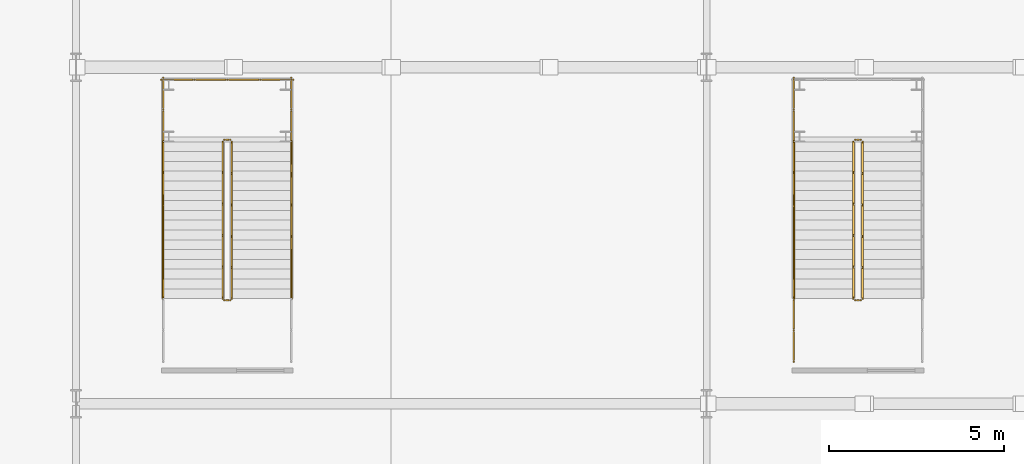
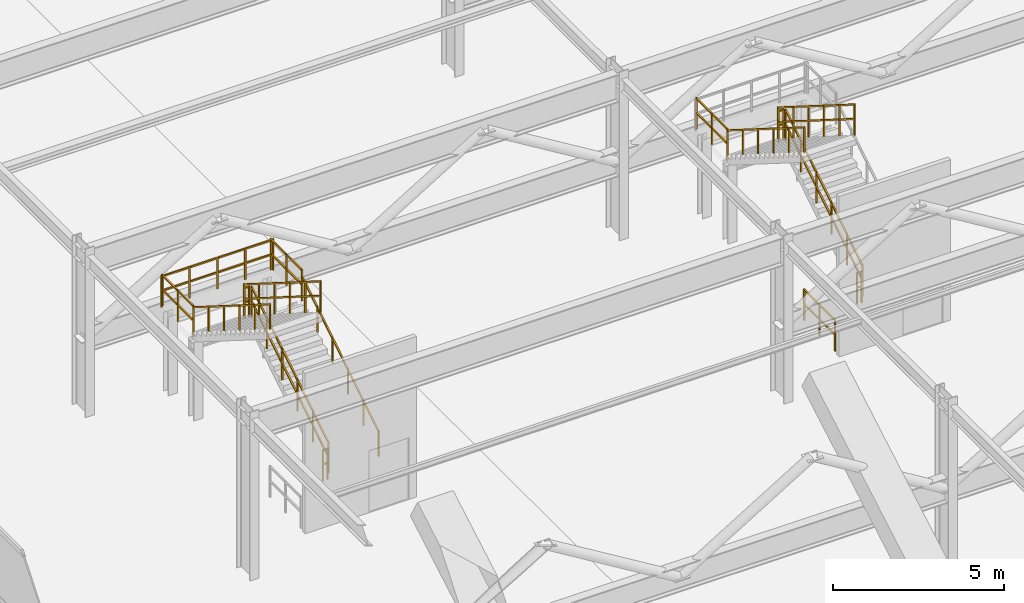
# One storey, part 87 of 113: 16 railings.
"""IFC4 building model written with IfcOpenShell, lengths in metres."""

from ifc_helpers import new_model, si_unit, direction, frame, origin, origin_2d, place, context, subcontext, project, spatial, rectangle, extrude, material, type_object, element, save


model = new_model("IFC4")

# Units and contexts
model_context = context("Model", 3, precision=1e-05, world=origin(), true_north=direction((0.0, 1.0)))
body_context = subcontext(model_context, "Body", "Model", "MODEL_VIEW")
ifc_project = project(units=[si_unit("LENGTHUNIT", "METRE"), si_unit("AREAUNIT", "SQUARE_METRE"), si_unit("VOLUMEUNIT", "CUBIC_METRE"), si_unit("PLANEANGLEUNIT", "RADIAN"), si_unit("MASSUNIT", "GRAM", prefix="KILO")], contexts=[model_context])

# Site, building, storey
site_placement = place(None, origin())
site = spatial("IfcSite", under=ifc_project, at=site_placement, CompositionType="ELEMENT")
building_placement = place(site_placement, origin())
building = spatial("IfcBuilding", under=site, at=building_placement, Name="Myrtia Square Station", CompositionType="ELEMENT")
storey_placement = place(building_placement, origin())
storey = spatial("IfcBuildingStorey", under=building, at=storey_placement, Name="L00", CompositionType="ELEMENT", Elevation=0.0)

# Railings
ifc_material_1 = material(Name="Dark bronze anodised aluminium", Category="aluminium")
railing_type_1 = type_object("IfcRailingType", Name="RL-HANDRAIL-900", PredefinedType="HANDRAIL", material=ifc_material_1)
railing_1_placement = place(storey_placement, frame((15.14990234375, 70.199951171875, 0.176513671875)))
element("IfcRailing", 1, at=railing_1_placement, inside=storey, type_object=railing_type_1, Name="L00 ST65 stair handrail 1", PredefinedType="HANDRAIL", context=body_context, shape_type="SweptSolid", body=[
    extrude(rectangle(XDim=0.048095703125, YDim=0.048095703125, at=origin_2d()), frame((0.0, 0.029296875, 0.894287109375), z_axis=(0.0, 0.845997938375, 0.533186166611), x_axis=(-1.0, 0.0, 0.0)), (0.0, 0.0, 1.0), 0.98974609375),
    extrude(rectangle(XDim=0.048095703125, YDim=0.048095703125, at=origin_2d()), frame((0.0, 0.92529296875, 1.458984375), z_axis=(0.0, 0.845997938375, 0.533186166611), x_axis=(-1.0, 0.0, 0.0)), (0.0, 0.0, 1.0), 0.98974609375),
    extrude(rectangle(XDim=0.048095703125, YDim=0.048095703125, at=origin_2d()), frame((0.0, 1.8212890625, 2.023681640625), z_axis=(0.0, 0.845997938375, 0.533186166611), x_axis=(-1.0, 0.0, 0.0)), (0.0, 0.0, 1.0), 0.98974609375),
    extrude(rectangle(XDim=0.048095703125, YDim=0.048095703125, at=origin_2d()), frame((0.0, 2.71728515625, 2.58837890625), z_axis=(0.0, 0.845997938375, 0.533186166611), x_axis=(-1.0, 0.0, 0.0)), (0.0, 0.0, 1.0), 0.98974609375),
    extrude(rectangle(XDim=0.048095703125, YDim=0.048095703125, at=origin_2d()), frame((0.0, 3.61328125, 3.153076171875), z_axis=(0.0, 0.845997938375, 0.533186166611), x_axis=(-1.0, 0.0, 0.0)), (0.0, 0.0, 1.0), 0.98974609375),
    extrude(rectangle(XDim=0.0439453125, YDim=0.0439453125, at=origin_2d()), origin(), (0.0, 0.0, 1.0), 0.89990234375),
    extrude(rectangle(XDim=0.0439453125, YDim=0.0439453125, at=origin_2d()), frame((0.0, 0.89599609375, 0.564697265625)), (0.0, 0.0, 1.0), 0.89990234375),
    extrude(rectangle(XDim=0.0439453125, YDim=0.0439453125, at=origin_2d()), frame((0.0, 1.7919921875, 1.12939453125)), (0.0, 0.0, 1.0), 0.89990234375),
    extrude(rectangle(XDim=0.0439453125, YDim=0.0439453125, at=origin_2d()), frame((0.0, 2.68798828125, 1.694091796875)), (0.0, 0.0, 1.0), 0.89990234375),
    extrude(rectangle(XDim=0.0439453125, YDim=0.0439453125, at=origin_2d()), frame((0.0, 3.583984375, 2.2587890625)), (0.0, 0.0, 1.0), 0.89990234375),
    extrude(rectangle(XDim=0.0439453125, YDim=0.0439453125, at=origin_2d()), frame((0.0, 4.47998046875, 2.823486328125)), (0.0, 0.0, 1.0), 0.89990234375),
])
railing_2_placement = place(storey_placement, frame((11.489990234375, 74.679931640625, 3.176513671875)))
element("IfcRailing", 2, at=railing_2_placement, inside=storey, type_object=railing_type_1, Name="L00 ST65 stair handrail 2", PredefinedType="HANDRAIL", context=body_context, shape_type="SweptSolid", body=[
    extrude(rectangle(XDim=0.048095703125, YDim=0.048095703125, at=origin_2d()), frame((0.0, -0.029296875, 0.894287109375), z_axis=(0.0, -0.845997938375, 0.533186166611), x_axis=(1.0, 0.0, 0.0)), (0.0, 0.0, 1.0), 0.98974609375),
    extrude(rectangle(XDim=0.048095703125, YDim=0.048095703125, at=origin_2d()), frame((0.0, -0.92529296875, 1.458984375), z_axis=(0.0, -0.845997938375, 0.533186166611), x_axis=(1.0, 0.0, 0.0)), (0.0, 0.0, 1.0), 0.98974609375),
    extrude(rectangle(XDim=0.048095703125, YDim=0.048095703125, at=origin_2d()), frame((0.0, -1.8212890625, 2.023681640625), z_axis=(0.0, -0.845997938375, 0.533186166611), x_axis=(1.0, 0.0, 0.0)), (0.0, 0.0, 1.0), 0.98974609375),
    extrude(rectangle(XDim=0.048095703125, YDim=0.048095703125, at=origin_2d()), frame((0.0, -2.71728515625, 2.58837890625), z_axis=(0.0, -0.845997938375, 0.533186166611), x_axis=(1.0, 0.0, 0.0)), (0.0, 0.0, 1.0), 0.98974609375),
    extrude(rectangle(XDim=0.048095703125, YDim=0.048095703125, at=origin_2d()), frame((0.0, -3.61328125, 3.153076171875), z_axis=(0.0, -0.845997938375, 0.533186166611), x_axis=(1.0, 0.0, 0.0)), (0.0, 0.0, 1.0), 0.98974609375),
    extrude(rectangle(XDim=0.0439453125, YDim=0.0439453125, at=origin_2d()), origin(), (0.0, 0.0, 1.0), 0.89990234375),
    extrude(rectangle(XDim=0.0439453125, YDim=0.0439453125, at=origin_2d()), frame((0.0, -0.89599609375, 0.564697265625)), (0.0, 0.0, 1.0), 0.89990234375),
    extrude(rectangle(XDim=0.0439453125, YDim=0.0439453125, at=origin_2d()), frame((0.0, -1.7919921875, 1.12939453125)), (0.0, 0.0, 1.0), 0.89990234375),
    extrude(rectangle(XDim=0.0439453125, YDim=0.0439453125, at=origin_2d()), frame((0.0, -2.68798828125, 1.694091796875)), (0.0, 0.0, 1.0), 0.89990234375),
    extrude(rectangle(XDim=0.0439453125, YDim=0.0439453125, at=origin_2d()), frame((0.0, -3.583984375, 2.2587890625)), (0.0, 0.0, 1.0), 0.89990234375),
    extrude(rectangle(XDim=0.0439453125, YDim=0.0439453125, at=origin_2d()), frame((0.0, -4.47998046875, 2.823486328125)), (0.0, 0.0, 1.0), 0.89990234375),
])
railing_3_placement = place(storey_placement, frame((29.489990234375, 74.679931640625, 3.176513671875)))
element("IfcRailing", 3, at=railing_3_placement, inside=storey, type_object=railing_type_1, Name="L00 ST66 stair handrail 2", PredefinedType="HANDRAIL", context=body_context, shape_type="SweptSolid", body=[
    extrude(rectangle(XDim=0.048095703125, YDim=0.048095703125, at=origin_2d()), frame((0.0, -0.029296875, 0.894287109375), z_axis=(0.0, -0.845997938375, 0.533186166611), x_axis=(1.0, 0.0, 0.0)), (0.0, 0.0, 1.0), 0.98974609375),
    extrude(rectangle(XDim=0.048095703125, YDim=0.048095703125, at=origin_2d()), frame((0.0, -0.92529296875, 1.458984375), z_axis=(0.0, -0.845997938375, 0.533186166611), x_axis=(1.0, 0.0, 0.0)), (0.0, 0.0, 1.0), 0.98974609375),
    extrude(rectangle(XDim=0.048095703125, YDim=0.048095703125, at=origin_2d()), frame((0.0, -1.8212890625, 2.023681640625), z_axis=(0.0, -0.845997938375, 0.533186166611), x_axis=(1.0, 0.0, 0.0)), (0.0, 0.0, 1.0), 0.98974609375),
    extrude(rectangle(XDim=0.048095703125, YDim=0.048095703125, at=origin_2d()), frame((0.0, -2.71728515625, 2.58837890625), z_axis=(0.0, -0.845997938375, 0.533186166611), x_axis=(1.0, 0.0, 0.0)), (0.0, 0.0, 1.0), 0.98974609375),
    extrude(rectangle(XDim=0.048095703125, YDim=0.048095703125, at=origin_2d()), frame((0.0, -3.61328125, 3.153076171875), z_axis=(0.0, -0.845997938375, 0.533186166611), x_axis=(1.0, 0.0, 0.0)), (0.0, 0.0, 1.0), 0.98974609375),
    extrude(rectangle(XDim=0.0439453125, YDim=0.0439453125, at=origin_2d()), origin(), (0.0, 0.0, 1.0), 0.89990234375),
    extrude(rectangle(XDim=0.0439453125, YDim=0.0439453125, at=origin_2d()), frame((0.0, -0.89599609375, 0.564697265625)), (0.0, 0.0, 1.0), 0.89990234375),
    extrude(rectangle(XDim=0.0439453125, YDim=0.0439453125, at=origin_2d()), frame((0.0, -1.7919921875, 1.12939453125)), (0.0, 0.0, 1.0), 0.89990234375),
    extrude(rectangle(XDim=0.0439453125, YDim=0.0439453125, at=origin_2d()), frame((0.0, -2.68798828125, 1.694091796875)), (0.0, 0.0, 1.0), 0.89990234375),
    extrude(rectangle(XDim=0.0439453125, YDim=0.0439453125, at=origin_2d()), frame((0.0, -3.583984375, 2.2587890625)), (0.0, 0.0, 1.0), 0.89990234375),
    extrude(rectangle(XDim=0.0439453125, YDim=0.0439453125, at=origin_2d()), frame((0.0, -4.47998046875, 2.823486328125)), (0.0, 0.0, 1.0), 0.89990234375),
])
ifc_material_2 = material(Name="Wrought iron", Category="steel")
railing_type_2 = type_object("IfcRailingType", Name="RL-INT-GUARD-1100", PredefinedType="BALUSTRADE", material=ifc_material_2)
railing_4_placement = place(storey_placement, frame((13.449951171875, 70.199951171875, 0.176513671875)))
element("IfcRailing", 4, at=railing_4_placement, inside=storey, type_object=railing_type_2, Name="L00 ST65 stair guard 1", PredefinedType="BALUSTRADE", context=body_context, shape_type="SweptSolid", body=[
    extrude(rectangle(XDim=0.048095703125, YDim=0.048095703125, at=origin_2d()), frame((0.0, 0.029296875, 1.114501953125), z_axis=(0.0, 0.845997938375, 0.533186166611), x_axis=(-1.0, 0.0, 0.0)), (0.0, 0.0, 1.0), 0.98974609375),
    extrude(rectangle(XDim=0.048095703125, YDim=0.048095703125, at=origin_2d()), frame((0.0, 0.029296875, 0.600830078125), z_axis=(0.0, 0.845997938375, 0.533186166611), x_axis=(-1.0, 0.0, 0.0)), (0.0, 0.0, 1.0), 0.98974609375),
    extrude(rectangle(XDim=0.048095703125, YDim=0.048095703125, at=origin_2d()), frame((0.0, 0.92529296875, 1.67919921875), z_axis=(0.0, 0.845997938375, 0.533186166611), x_axis=(-1.0, 0.0, 0.0)), (0.0, 0.0, 1.0), 0.98974609375),
    extrude(rectangle(XDim=0.048095703125, YDim=0.048095703125, at=origin_2d()), frame((0.0, 0.92529296875, 1.16552734375), z_axis=(0.0, 0.845997938375, 0.533186166611), x_axis=(-1.0, 0.0, 0.0)), (0.0, 0.0, 1.0), 0.98974609375),
    extrude(rectangle(XDim=0.048095703125, YDim=0.048095703125, at=origin_2d()), frame((0.0, 1.8212890625, 2.243896484375), z_axis=(0.0, 0.845997938375, 0.533186166611), x_axis=(-1.0, 0.0, 0.0)), (0.0, 0.0, 1.0), 0.98974609375),
    extrude(rectangle(XDim=0.048095703125, YDim=0.048095703125, at=origin_2d()), frame((0.0, 1.8212890625, 1.730224609375), z_axis=(0.0, 0.845997938375, 0.533186166611), x_axis=(-1.0, 0.0, 0.0)), (0.0, 0.0, 1.0), 0.98974609375),
    extrude(rectangle(XDim=0.048095703125, YDim=0.048095703125, at=origin_2d()), frame((0.0, 2.71728515625, 2.80859375), z_axis=(0.0, 0.845997938375, 0.533186166611), x_axis=(-1.0, 0.0, 0.0)), (0.0, 0.0, 1.0), 0.98974609375),
    extrude(rectangle(XDim=0.048095703125, YDim=0.048095703125, at=origin_2d()), frame((0.0, 2.71728515625, 2.294921875), z_axis=(0.0, 0.845997938375, 0.533186166611), x_axis=(-1.0, 0.0, 0.0)), (0.0, 0.0, 1.0), 0.98974609375),
    extrude(rectangle(XDim=0.048095703125, YDim=0.048095703125, at=origin_2d()), frame((0.0, 3.61328125, 3.373291015625), z_axis=(0.0, 0.845997938375, 0.533186166611), x_axis=(-1.0, 0.0, 0.0)), (0.0, 0.0, 1.0), 0.98974609375),
    extrude(rectangle(XDim=0.048095703125, YDim=0.048095703125, at=origin_2d()), frame((0.0, 3.61328125, 2.859619140625), z_axis=(0.0, 0.845997938375, 0.533186166611), x_axis=(-1.0, 0.0, 0.0)), (0.0, 0.0, 1.0), 0.98974609375),
    extrude(rectangle(XDim=0.0439453125, YDim=0.0439453125, at=origin_2d()), origin(), (0.0, 0.0, 1.0), 1.1201171875),
    extrude(rectangle(XDim=0.0439453125, YDim=0.0439453125, at=origin_2d()), frame((0.0, 0.89599609375, 0.564697265625)), (0.0, 0.0, 1.0), 1.1201171875),
    extrude(rectangle(XDim=0.0439453125, YDim=0.0439453125, at=origin_2d()), frame((0.0, 1.7919921875, 1.12939453125)), (0.0, 0.0, 1.0), 1.1201171875),
    extrude(rectangle(XDim=0.0439453125, YDim=0.0439453125, at=origin_2d()), frame((0.0, 2.68798828125, 1.694091796875)), (0.0, 0.0, 1.0), 1.1201171875),
    extrude(rectangle(XDim=0.0439453125, YDim=0.0439453125, at=origin_2d()), frame((0.0, 3.583984375, 2.2587890625)), (0.0, 0.0, 1.0), 1.1201171875),
    extrude(rectangle(XDim=0.0439453125, YDim=0.0439453125, at=origin_2d()), frame((0.0, 4.47998046875, 2.823486328125)), (0.0, 0.0, 1.0), 1.1201171875),
])
railing_5_placement = place(storey_placement, frame((13.39990234375, 74.72998046875, 3.0)))
element("IfcRailing", 5, at=railing_5_placement, inside=storey, type_object=railing_type_2, Name="L00 ST65 stair guard 2", PredefinedType="BALUSTRADE", context=body_context, shape_type="SweptSolid", body=[
    extrude(rectangle(XDim=0.048095703125, YDim=0.048095703125, at=origin_2d()), frame((-0.03466796875, 0.0, 1.09619140625), z_axis=(-1.0, 0.0, 0.0), x_axis=(0.0, -1.0, 0.0)), (0.0, 0.0, 1.0), 0.090576171875),
    extrude(rectangle(XDim=0.048095703125, YDim=0.048095703125, at=origin_2d()), frame((-0.03466796875, 0.0, 0.58251953125), z_axis=(-1.0, 0.0, 0.0), x_axis=(0.0, -1.0, 0.0)), (0.0, 0.0, 1.0), 0.090576171875),
    extrude(rectangle(XDim=0.0439453125, YDim=0.0439453125, at=origin_2d()), origin(), (0.0, 0.0, 1.0), 1.1201171875),
    extrude(rectangle(XDim=0.0439453125, YDim=0.0439453125, at=origin_2d()), frame((-0.159912109375, 0.0, 0.0)), (0.0, 0.0, 1.0), 1.1201171875),
])
for number, where, name in (
    (6, (15.14990234375, 74.679931640625, 3.0), "L00 ST65 stair guard 3"),
    (7, (11.489990234375, 74.679931640625, 3.0), "L00 ST65 stair guard 4"),
):
    element("IfcRailing", number, at=place(storey_placement, frame(where)), inside=storey, type_object=railing_type_2, Name=name, PredefinedType="BALUSTRADE", context=body_context, shape_type="SweptSolid", body=[
        extrude(rectangle(XDim=0.048095703125, YDim=0.048095703125, at=origin_2d()), frame((0.0, 0.03466796875, 1.09619140625), z_axis=(0.0, 1.0, 0.0), x_axis=(-1.0, 0.0, 0.0)), (0.0, 0.0, 1.0), 0.8408203125),
        extrude(rectangle(XDim=0.048095703125, YDim=0.048095703125, at=origin_2d()), frame((0.0, 0.03466796875, 0.58251953125), z_axis=(0.0, 1.0, 0.0), x_axis=(-1.0, 0.0, 0.0)), (0.0, 0.0, 1.0), 0.8408203125),
        extrude(rectangle(XDim=0.048095703125, YDim=0.048095703125, at=origin_2d()), frame((0.0, 0.944580078125, 1.09619140625), z_axis=(0.0, 1.0, 0.0), x_axis=(-1.0, 0.0, 0.0)), (0.0, 0.0, 1.0), 0.8408203125),
        extrude(rectangle(XDim=0.048095703125, YDim=0.048095703125, at=origin_2d()), frame((0.0, 0.944580078125, 0.58251953125), z_axis=(0.0, 1.0, 0.0), x_axis=(-1.0, 0.0, 0.0)), (0.0, 0.0, 1.0), 0.8408203125),
        extrude(rectangle(XDim=0.0439453125, YDim=0.0439453125, at=origin_2d()), origin(), (0.0, 0.0, 1.0), 1.1201171875),
        extrude(rectangle(XDim=0.0439453125, YDim=0.0439453125, at=origin_2d()), frame((0.0, 0.91015625, 0.0)), (0.0, 0.0, 1.0), 1.1201171875),
        extrude(rectangle(XDim=0.0439453125, YDim=0.0439453125, at=origin_2d()), frame((0.0, 1.820068359375, 0.0)), (0.0, 0.0, 1.0), 1.1201171875),
    ])
railing_6_placement = place(storey_placement, frame((15.199951171875, 76.449951171875, 3.0)))
element("IfcRailing", 8, at=railing_6_placement, inside=storey, type_object=railing_type_2, Name="L00 ST65 stair guard 5", PredefinedType="BALUSTRADE", context=body_context, shape_type="SweptSolid", body=[
    extrude(rectangle(XDim=0.048095703125, YDim=0.048095703125, at=origin_2d()), frame((-0.03466796875, 0.0, 1.09619140625), z_axis=(-1.0, 0.0, 0.0), x_axis=(0.0, -1.0, 0.0)), (0.0, 0.0, 1.0), 0.87060546875),
    extrude(rectangle(XDim=0.048095703125, YDim=0.048095703125, at=origin_2d()), frame((-0.03466796875, 0.0, 0.58251953125), z_axis=(-1.0, 0.0, 0.0), x_axis=(0.0, -1.0, 0.0)), (0.0, 0.0, 1.0), 0.87060546875),
    extrude(rectangle(XDim=0.048095703125, YDim=0.048095703125, at=origin_2d()), frame((-0.974609375, 0.0, 1.09619140625), z_axis=(-1.0, 0.0, 0.0), x_axis=(0.0, -1.0, 0.0)), (0.0, 0.0, 1.0), 0.87060546875),
    extrude(rectangle(XDim=0.048095703125, YDim=0.048095703125, at=origin_2d()), frame((-0.974609375, 0.0, 0.58251953125), z_axis=(-1.0, 0.0, 0.0), x_axis=(0.0, -1.0, 0.0)), (0.0, 0.0, 1.0), 0.87060546875),
    extrude(rectangle(XDim=0.048095703125, YDim=0.048095703125, at=origin_2d()), frame((-1.91455078125, 0.0, 1.09619140625), z_axis=(-1.0, 0.0, 0.0), x_axis=(0.0, -1.0, 0.0)), (0.0, 0.0, 1.0), 0.87060546875),
    extrude(rectangle(XDim=0.048095703125, YDim=0.048095703125, at=origin_2d()), frame((-1.91455078125, 0.0, 0.58251953125), z_axis=(-1.0, 0.0, 0.0), x_axis=(0.0, -1.0, 0.0)), (0.0, 0.0, 1.0), 0.87060546875),
    extrude(rectangle(XDim=0.048095703125, YDim=0.048095703125, at=origin_2d()), frame((-2.854736328125, 0.0, 1.09619140625), z_axis=(-1.0, 0.0, 0.0), x_axis=(0.0, -1.0, 0.0)), (0.0, 0.0, 1.0), 0.87060546875),
    extrude(rectangle(XDim=0.048095703125, YDim=0.048095703125, at=origin_2d()), frame((-2.854736328125, 0.0, 0.58251953125), z_axis=(-1.0, 0.0, 0.0), x_axis=(0.0, -1.0, 0.0)), (0.0, 0.0, 1.0), 0.87060546875),
    extrude(rectangle(XDim=0.0439453125, YDim=0.0439453125, at=origin_2d()), origin(), (0.0, 0.0, 1.0), 1.1201171875),
    extrude(rectangle(XDim=0.0439453125, YDim=0.0439453125, at=origin_2d()), frame((-0.93994140625, 0.0, 0.0)), (0.0, 0.0, 1.0), 1.1201171875),
    extrude(rectangle(XDim=0.0439453125, YDim=0.0439453125, at=origin_2d()), frame((-1.8798828125, 0.0, 0.0)), (0.0, 0.0, 1.0), 1.1201171875),
    extrude(rectangle(XDim=0.0439453125, YDim=0.0439453125, at=origin_2d()), frame((-2.820068359375, 0.0, 0.0)), (0.0, 0.0, 1.0), 1.1201171875),
    extrude(rectangle(XDim=0.0439453125, YDim=0.0439453125, at=origin_2d()), frame((-3.760009765625, 0.0, 0.0)), (0.0, 0.0, 1.0), 1.1201171875),
])
railing_7_placement = place(storey_placement, frame((13.18994140625, 74.679931640625, 3.176513671875)))
element("IfcRailing", 9, at=railing_7_placement, inside=storey, type_object=railing_type_2, Name="L00 ST65 stair guard 6", PredefinedType="BALUSTRADE", context=body_context, shape_type="SweptSolid", body=[
    extrude(rectangle(XDim=0.048095703125, YDim=0.048095703125, at=origin_2d()), frame((0.0, -0.029296875, 1.114501953125), z_axis=(0.0, -0.845997938375, 0.533186166611), x_axis=(1.0, 0.0, 0.0)), (0.0, 0.0, 1.0), 0.98974609375),
    extrude(rectangle(XDim=0.048095703125, YDim=0.048095703125, at=origin_2d()), frame((0.0, -0.029296875, 0.600830078125), z_axis=(0.0, -0.845997938375, 0.533186166611), x_axis=(1.0, 0.0, 0.0)), (0.0, 0.0, 1.0), 0.98974609375),
    extrude(rectangle(XDim=0.048095703125, YDim=0.048095703125, at=origin_2d()), frame((0.0, -0.92529296875, 1.67919921875), z_axis=(0.0, -0.845997938375, 0.533186166611), x_axis=(1.0, 0.0, 0.0)), (0.0, 0.0, 1.0), 0.98974609375),
    extrude(rectangle(XDim=0.048095703125, YDim=0.048095703125, at=origin_2d()), frame((0.0, -0.92529296875, 1.16552734375), z_axis=(0.0, -0.845997938375, 0.533186166611), x_axis=(1.0, 0.0, 0.0)), (0.0, 0.0, 1.0), 0.98974609375),
    extrude(rectangle(XDim=0.048095703125, YDim=0.048095703125, at=origin_2d()), frame((0.0, -1.8212890625, 2.243896484375), z_axis=(0.0, -0.845997938375, 0.533186166611), x_axis=(1.0, 0.0, 0.0)), (0.0, 0.0, 1.0), 0.98974609375),
    extrude(rectangle(XDim=0.048095703125, YDim=0.048095703125, at=origin_2d()), frame((0.0, -1.8212890625, 1.730224609375), z_axis=(0.0, -0.845997938375, 0.533186166611), x_axis=(1.0, 0.0, 0.0)), (0.0, 0.0, 1.0), 0.98974609375),
    extrude(rectangle(XDim=0.048095703125, YDim=0.048095703125, at=origin_2d()), frame((0.0, -2.71728515625, 2.80859375), z_axis=(0.0, -0.845997938375, 0.533186166611), x_axis=(1.0, 0.0, 0.0)), (0.0, 0.0, 1.0), 0.98974609375),
    extrude(rectangle(XDim=0.048095703125, YDim=0.048095703125, at=origin_2d()), frame((0.0, -2.71728515625, 2.294921875), z_axis=(0.0, -0.845997938375, 0.533186166611), x_axis=(1.0, 0.0, 0.0)), (0.0, 0.0, 1.0), 0.98974609375),
    extrude(rectangle(XDim=0.048095703125, YDim=0.048095703125, at=origin_2d()), frame((0.0, -3.61328125, 3.373291015625), z_axis=(0.0, -0.845997938375, 0.533186166611), x_axis=(1.0, 0.0, 0.0)), (0.0, 0.0, 1.0), 0.98974609375),
    extrude(rectangle(XDim=0.048095703125, YDim=0.048095703125, at=origin_2d()), frame((0.0, -3.61328125, 2.859619140625), z_axis=(0.0, -0.845997938375, 0.533186166611), x_axis=(1.0, 0.0, 0.0)), (0.0, 0.0, 1.0), 0.98974609375),
    extrude(rectangle(XDim=0.0439453125, YDim=0.0439453125, at=origin_2d()), origin(), (0.0, 0.0, 1.0), 1.1201171875),
    extrude(rectangle(XDim=0.0439453125, YDim=0.0439453125, at=origin_2d()), frame((0.0, -0.89599609375, 0.564697265625)), (0.0, 0.0, 1.0), 1.1201171875),
    extrude(rectangle(XDim=0.0439453125, YDim=0.0439453125, at=origin_2d()), frame((0.0, -1.7919921875, 1.12939453125)), (0.0, 0.0, 1.0), 1.1201171875),
    extrude(rectangle(XDim=0.0439453125, YDim=0.0439453125, at=origin_2d()), frame((0.0, -2.68798828125, 1.694091796875)), (0.0, 0.0, 1.0), 1.1201171875),
    extrude(rectangle(XDim=0.0439453125, YDim=0.0439453125, at=origin_2d()), frame((0.0, -3.583984375, 2.2587890625)), (0.0, 0.0, 1.0), 1.1201171875),
    extrude(rectangle(XDim=0.0439453125, YDim=0.0439453125, at=origin_2d()), frame((0.0, -4.47998046875, 2.823486328125)), (0.0, 0.0, 1.0), 1.1201171875),
])
railing_8_placement = place(storey_placement, frame((13.39990234375, 70.14990234375, 0.0)))
element("IfcRailing", 10, at=railing_8_placement, inside=storey, type_object=railing_type_2, Name="L00 ST65 stair guard 7", PredefinedType="BALUSTRADE", context=body_context, shape_type="SweptSolid", body=[
    extrude(rectangle(XDim=0.048095703125, YDim=0.048095703125, at=origin_2d()), frame((-0.03466796875, 0.0, 1.09619140625), z_axis=(-1.0, 0.0, 0.0), x_axis=(0.0, -1.0, 0.0)), (0.0, 0.0, 1.0), 0.090576171875),
    extrude(rectangle(XDim=0.048095703125, YDim=0.048095703125, at=origin_2d()), frame((-0.03466796875, 0.0, 0.58251953125), z_axis=(-1.0, 0.0, 0.0), x_axis=(0.0, -1.0, 0.0)), (0.0, 0.0, 1.0), 0.090576171875),
    extrude(rectangle(XDim=0.0439453125, YDim=0.0439453125, at=origin_2d()), origin(), (0.0, 0.0, 1.0), 1.1201171875),
    extrude(rectangle(XDim=0.0439453125, YDim=0.0439453125, at=origin_2d()), frame((-0.159912109375, 0.0, 0.0)), (0.0, 0.0, 1.0), 1.1201171875),
])
railing_9_placement = place(storey_placement, frame((31.449951171875, 70.199951171875, 0.176513671875)))
element("IfcRailing", 11, at=railing_9_placement, inside=storey, type_object=railing_type_2, Name="L00 ST66 stair guard 1", PredefinedType="BALUSTRADE", context=body_context, shape_type="SweptSolid", body=[
    extrude(rectangle(XDim=0.048095703125, YDim=0.048095703125, at=origin_2d()), frame((0.0, 0.029296875, 1.114501953125), z_axis=(0.0, 0.845997938375, 0.533186166611), x_axis=(-1.0, 0.0, 0.0)), (0.0, 0.0, 1.0), 0.98974609375),
    extrude(rectangle(XDim=0.048095703125, YDim=0.048095703125, at=origin_2d()), frame((0.0, 0.029296875, 0.600830078125), z_axis=(0.0, 0.845997938375, 0.533186166611), x_axis=(-1.0, 0.0, 0.0)), (0.0, 0.0, 1.0), 0.98974609375),
    extrude(rectangle(XDim=0.048095703125, YDim=0.048095703125, at=origin_2d()), frame((0.0, 0.92529296875, 1.67919921875), z_axis=(0.0, 0.845997938375, 0.533186166611), x_axis=(-1.0, 0.0, 0.0)), (0.0, 0.0, 1.0), 0.98974609375),
    extrude(rectangle(XDim=0.048095703125, YDim=0.048095703125, at=origin_2d()), frame((0.0, 0.92529296875, 1.16552734375), z_axis=(0.0, 0.845997938375, 0.533186166611), x_axis=(-1.0, 0.0, 0.0)), (0.0, 0.0, 1.0), 0.98974609375),
    extrude(rectangle(XDim=0.048095703125, YDim=0.048095703125, at=origin_2d()), frame((0.0, 1.8212890625, 2.243896484375), z_axis=(0.0, 0.845997938375, 0.533186166611), x_axis=(-1.0, 0.0, 0.0)), (0.0, 0.0, 1.0), 0.98974609375),
    extrude(rectangle(XDim=0.048095703125, YDim=0.048095703125, at=origin_2d()), frame((0.0, 1.8212890625, 1.730224609375), z_axis=(0.0, 0.845997938375, 0.533186166611), x_axis=(-1.0, 0.0, 0.0)), (0.0, 0.0, 1.0), 0.98974609375),
    extrude(rectangle(XDim=0.048095703125, YDim=0.048095703125, at=origin_2d()), frame((0.0, 2.71728515625, 2.80859375), z_axis=(0.0, 0.845997938375, 0.533186166611), x_axis=(-1.0, 0.0, 0.0)), (0.0, 0.0, 1.0), 0.98974609375),
    extrude(rectangle(XDim=0.048095703125, YDim=0.048095703125, at=origin_2d()), frame((0.0, 2.71728515625, 2.294921875), z_axis=(0.0, 0.845997938375, 0.533186166611), x_axis=(-1.0, 0.0, 0.0)), (0.0, 0.0, 1.0), 0.98974609375),
    extrude(rectangle(XDim=0.048095703125, YDim=0.048095703125, at=origin_2d()), frame((0.0, 3.61328125, 3.373291015625), z_axis=(0.0, 0.845997938375, 0.533186166611), x_axis=(-1.0, 0.0, 0.0)), (0.0, 0.0, 1.0), 0.98974609375),
    extrude(rectangle(XDim=0.048095703125, YDim=0.048095703125, at=origin_2d()), frame((0.0, 3.61328125, 2.859619140625), z_axis=(0.0, 0.845997938375, 0.533186166611), x_axis=(-1.0, 0.0, 0.0)), (0.0, 0.0, 1.0), 0.98974609375),
    extrude(rectangle(XDim=0.0439453125, YDim=0.0439453125, at=origin_2d()), origin(), (0.0, 0.0, 1.0), 1.1201171875),
    extrude(rectangle(XDim=0.0439453125, YDim=0.0439453125, at=origin_2d()), frame((0.0, 0.89599609375, 0.564697265625)), (0.0, 0.0, 1.0), 1.1201171875),
    extrude(rectangle(XDim=0.0439453125, YDim=0.0439453125, at=origin_2d()), frame((0.0, 1.7919921875, 1.12939453125)), (0.0, 0.0, 1.0), 1.1201171875),
    extrude(rectangle(XDim=0.0439453125, YDim=0.0439453125, at=origin_2d()), frame((0.0, 2.68798828125, 1.694091796875)), (0.0, 0.0, 1.0), 1.1201171875),
    extrude(rectangle(XDim=0.0439453125, YDim=0.0439453125, at=origin_2d()), frame((0.0, 3.583984375, 2.2587890625)), (0.0, 0.0, 1.0), 1.1201171875),
    extrude(rectangle(XDim=0.0439453125, YDim=0.0439453125, at=origin_2d()), frame((0.0, 4.47998046875, 2.823486328125)), (0.0, 0.0, 1.0), 1.1201171875),
])
railing_10_placement = place(storey_placement, frame((31.39990234375, 74.72998046875, 3.0)))
element("IfcRailing", 12, at=railing_10_placement, inside=storey, type_object=railing_type_2, Name="L00 ST66 stair guard 2", PredefinedType="BALUSTRADE", context=body_context, shape_type="SweptSolid", body=[
    extrude(rectangle(XDim=0.048095703125, YDim=0.048095703125, at=origin_2d()), frame((-0.03466796875, 0.0, 1.09619140625), z_axis=(-1.0, 0.0, 0.0), x_axis=(0.0, -1.0, 0.0)), (0.0, 0.0, 1.0), 0.090576171875),
    extrude(rectangle(XDim=0.048095703125, YDim=0.048095703125, at=origin_2d()), frame((-0.03466796875, 0.0, 0.58251953125), z_axis=(-1.0, 0.0, 0.0), x_axis=(0.0, -1.0, 0.0)), (0.0, 0.0, 1.0), 0.090576171875),
    extrude(rectangle(XDim=0.0439453125, YDim=0.0439453125, at=origin_2d()), origin(), (0.0, 0.0, 1.0), 1.1201171875),
    extrude(rectangle(XDim=0.0439453125, YDim=0.0439453125, at=origin_2d()), frame((-0.159912109375, 0.0, 0.0)), (0.0, 0.0, 1.0), 1.1201171875),
])
railing_11_placement = place(storey_placement, frame((29.489990234375, 74.679931640625, 3.0)))
element("IfcRailing", 13, at=railing_11_placement, inside=storey, type_object=railing_type_2, Name="L00 ST66 stair guard 4", PredefinedType="BALUSTRADE", context=body_context, shape_type="SweptSolid", body=[
    extrude(rectangle(XDim=0.048095703125, YDim=0.048095703125, at=origin_2d()), frame((0.0, 0.03466796875, 1.09619140625), z_axis=(0.0, 1.0, 0.0), x_axis=(-1.0, 0.0, 0.0)), (0.0, 0.0, 1.0), 0.8408203125),
    extrude(rectangle(XDim=0.048095703125, YDim=0.048095703125, at=origin_2d()), frame((0.0, 0.03466796875, 0.58251953125), z_axis=(0.0, 1.0, 0.0), x_axis=(-1.0, 0.0, 0.0)), (0.0, 0.0, 1.0), 0.8408203125),
    extrude(rectangle(XDim=0.048095703125, YDim=0.048095703125, at=origin_2d()), frame((0.0, 0.944580078125, 1.09619140625), z_axis=(0.0, 1.0, 0.0), x_axis=(-1.0, 0.0, 0.0)), (0.0, 0.0, 1.0), 0.8408203125),
    extrude(rectangle(XDim=0.048095703125, YDim=0.048095703125, at=origin_2d()), frame((0.0, 0.944580078125, 0.58251953125), z_axis=(0.0, 1.0, 0.0), x_axis=(-1.0, 0.0, 0.0)), (0.0, 0.0, 1.0), 0.8408203125),
    extrude(rectangle(XDim=0.0439453125, YDim=0.0439453125, at=origin_2d()), origin(), (0.0, 0.0, 1.0), 1.1201171875),
    extrude(rectangle(XDim=0.0439453125, YDim=0.0439453125, at=origin_2d()), frame((0.0, 0.91015625, 0.0)), (0.0, 0.0, 1.0), 1.1201171875),
    extrude(rectangle(XDim=0.0439453125, YDim=0.0439453125, at=origin_2d()), frame((0.0, 1.820068359375, 0.0)), (0.0, 0.0, 1.0), 1.1201171875),
])
railing_12_placement = place(storey_placement, frame((31.18994140625, 74.679931640625, 3.176513671875)))
element("IfcRailing", 14, at=railing_12_placement, inside=storey, type_object=railing_type_2, Name="L00 ST66 stair guard 6", PredefinedType="BALUSTRADE", context=body_context, shape_type="SweptSolid", body=[
    extrude(rectangle(XDim=0.048095703125, YDim=0.048095703125, at=origin_2d()), frame((0.0, -0.029296875, 1.114501953125), z_axis=(0.0, -0.845997938375, 0.533186166611), x_axis=(1.0, 0.0, 0.0)), (0.0, 0.0, 1.0), 0.98974609375),
    extrude(rectangle(XDim=0.048095703125, YDim=0.048095703125, at=origin_2d()), frame((0.0, -0.029296875, 0.600830078125), z_axis=(0.0, -0.845997938375, 0.533186166611), x_axis=(1.0, 0.0, 0.0)), (0.0, 0.0, 1.0), 0.98974609375),
    extrude(rectangle(XDim=0.048095703125, YDim=0.048095703125, at=origin_2d()), frame((0.0, -0.92529296875, 1.67919921875), z_axis=(0.0, -0.845997938375, 0.533186166611), x_axis=(1.0, 0.0, 0.0)), (0.0, 0.0, 1.0), 0.98974609375),
    extrude(rectangle(XDim=0.048095703125, YDim=0.048095703125, at=origin_2d()), frame((0.0, -0.92529296875, 1.16552734375), z_axis=(0.0, -0.845997938375, 0.533186166611), x_axis=(1.0, 0.0, 0.0)), (0.0, 0.0, 1.0), 0.98974609375),
    extrude(rectangle(XDim=0.048095703125, YDim=0.048095703125, at=origin_2d()), frame((0.0, -1.8212890625, 2.243896484375), z_axis=(0.0, -0.845997938375, 0.533186166611), x_axis=(1.0, 0.0, 0.0)), (0.0, 0.0, 1.0), 0.98974609375),
    extrude(rectangle(XDim=0.048095703125, YDim=0.048095703125, at=origin_2d()), frame((0.0, -1.8212890625, 1.730224609375), z_axis=(0.0, -0.845997938375, 0.533186166611), x_axis=(1.0, 0.0, 0.0)), (0.0, 0.0, 1.0), 0.98974609375),
    extrude(rectangle(XDim=0.048095703125, YDim=0.048095703125, at=origin_2d()), frame((0.0, -2.71728515625, 2.80859375), z_axis=(0.0, -0.845997938375, 0.533186166611), x_axis=(1.0, 0.0, 0.0)), (0.0, 0.0, 1.0), 0.98974609375),
    extrude(rectangle(XDim=0.048095703125, YDim=0.048095703125, at=origin_2d()), frame((0.0, -2.71728515625, 2.294921875), z_axis=(0.0, -0.845997938375, 0.533186166611), x_axis=(1.0, 0.0, 0.0)), (0.0, 0.0, 1.0), 0.98974609375),
    extrude(rectangle(XDim=0.048095703125, YDim=0.048095703125, at=origin_2d()), frame((0.0, -3.61328125, 3.373291015625), z_axis=(0.0, -0.845997938375, 0.533186166611), x_axis=(1.0, 0.0, 0.0)), (0.0, 0.0, 1.0), 0.98974609375),
    extrude(rectangle(XDim=0.048095703125, YDim=0.048095703125, at=origin_2d()), frame((0.0, -3.61328125, 2.859619140625), z_axis=(0.0, -0.845997938375, 0.533186166611), x_axis=(1.0, 0.0, 0.0)), (0.0, 0.0, 1.0), 0.98974609375),
    extrude(rectangle(XDim=0.0439453125, YDim=0.0439453125, at=origin_2d()), origin(), (0.0, 0.0, 1.0), 1.1201171875),
    extrude(rectangle(XDim=0.0439453125, YDim=0.0439453125, at=origin_2d()), frame((0.0, -0.89599609375, 0.564697265625)), (0.0, 0.0, 1.0), 1.1201171875),
    extrude(rectangle(XDim=0.0439453125, YDim=0.0439453125, at=origin_2d()), frame((0.0, -1.7919921875, 1.12939453125)), (0.0, 0.0, 1.0), 1.1201171875),
    extrude(rectangle(XDim=0.0439453125, YDim=0.0439453125, at=origin_2d()), frame((0.0, -2.68798828125, 1.694091796875)), (0.0, 0.0, 1.0), 1.1201171875),
    extrude(rectangle(XDim=0.0439453125, YDim=0.0439453125, at=origin_2d()), frame((0.0, -3.583984375, 2.2587890625)), (0.0, 0.0, 1.0), 1.1201171875),
    extrude(rectangle(XDim=0.0439453125, YDim=0.0439453125, at=origin_2d()), frame((0.0, -4.47998046875, 2.823486328125)), (0.0, 0.0, 1.0), 1.1201171875),
])
railing_13_placement = place(storey_placement, frame((31.39990234375, 70.14990234375, 0.0)))
element("IfcRailing", 15, at=railing_13_placement, inside=storey, type_object=railing_type_2, Name="L00 ST66 stair guard 7", PredefinedType="BALUSTRADE", context=body_context, shape_type="SweptSolid", body=[
    extrude(rectangle(XDim=0.048095703125, YDim=0.048095703125, at=origin_2d()), frame((-0.03466796875, 0.0, 1.09619140625), z_axis=(-1.0, 0.0, 0.0), x_axis=(0.0, -1.0, 0.0)), (0.0, 0.0, 1.0), 0.090576171875),
    extrude(rectangle(XDim=0.048095703125, YDim=0.048095703125, at=origin_2d()), frame((-0.03466796875, 0.0, 0.58251953125), z_axis=(-1.0, 0.0, 0.0), x_axis=(0.0, -1.0, 0.0)), (0.0, 0.0, 1.0), 0.090576171875),
    extrude(rectangle(XDim=0.0439453125, YDim=0.0439453125, at=origin_2d()), origin(), (0.0, 0.0, 1.0), 1.1201171875),
    extrude(rectangle(XDim=0.0439453125, YDim=0.0439453125, at=origin_2d()), frame((-0.159912109375, 0.0, 0.0)), (0.0, 0.0, 1.0), 1.1201171875),
])
railing_14_placement = place(storey_placement, frame((29.489990234375, 68.39990234375, 0.0)))
element("IfcRailing", 16, at=railing_14_placement, inside=storey, type_object=railing_type_2, Name="L00 ST66 stair guard 9", PredefinedType="BALUSTRADE", context=body_context, shape_type="SweptSolid", body=[
    extrude(rectangle(XDim=0.048095703125, YDim=0.048095703125, at=origin_2d()), frame((0.0, 0.03466796875, 1.09619140625), z_axis=(0.0, 1.0, 0.0), x_axis=(-1.0, 0.0, 0.0)), (0.0, 0.0, 1.0), 0.830810546875),
    extrude(rectangle(XDim=0.048095703125, YDim=0.048095703125, at=origin_2d()), frame((0.0, 0.03466796875, 0.58251953125), z_axis=(0.0, 1.0, 0.0), x_axis=(-1.0, 0.0, 0.0)), (0.0, 0.0, 1.0), 0.830810546875),
    extrude(rectangle(XDim=0.048095703125, YDim=0.048095703125, at=origin_2d()), frame((0.0, 0.9345703125, 1.09619140625), z_axis=(0.0, 1.0, 0.0), x_axis=(-1.0, 0.0, 0.0)), (0.0, 0.0, 1.0), 0.830810546875),
    extrude(rectangle(XDim=0.048095703125, YDim=0.048095703125, at=origin_2d()), frame((0.0, 0.9345703125, 0.58251953125), z_axis=(0.0, 1.0, 0.0), x_axis=(-1.0, 0.0, 0.0)), (0.0, 0.0, 1.0), 0.830810546875),
    extrude(rectangle(XDim=0.0439453125, YDim=0.0439453125, at=origin_2d()), origin(), (0.0, 0.0, 1.0), 1.1201171875),
    extrude(rectangle(XDim=0.0439453125, YDim=0.0439453125, at=origin_2d()), frame((0.0, 0.89990234375, 0.0)), (0.0, 0.0, 1.0), 1.1201171875),
    extrude(rectangle(XDim=0.0439453125, YDim=0.0439453125, at=origin_2d()), frame((0.0, 1.800048828125, 0.0)), (0.0, 0.0, 1.0), 1.1201171875),
])

save(model, "model.ifc")
